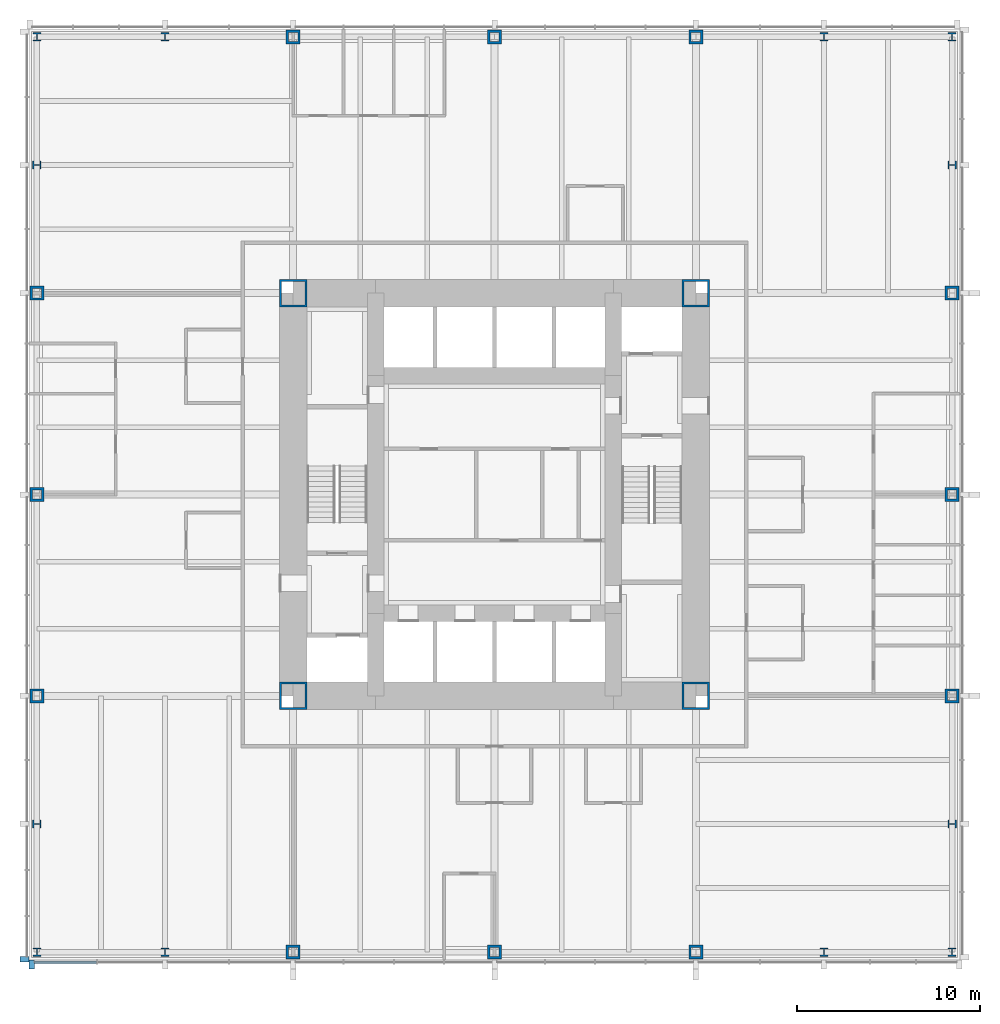
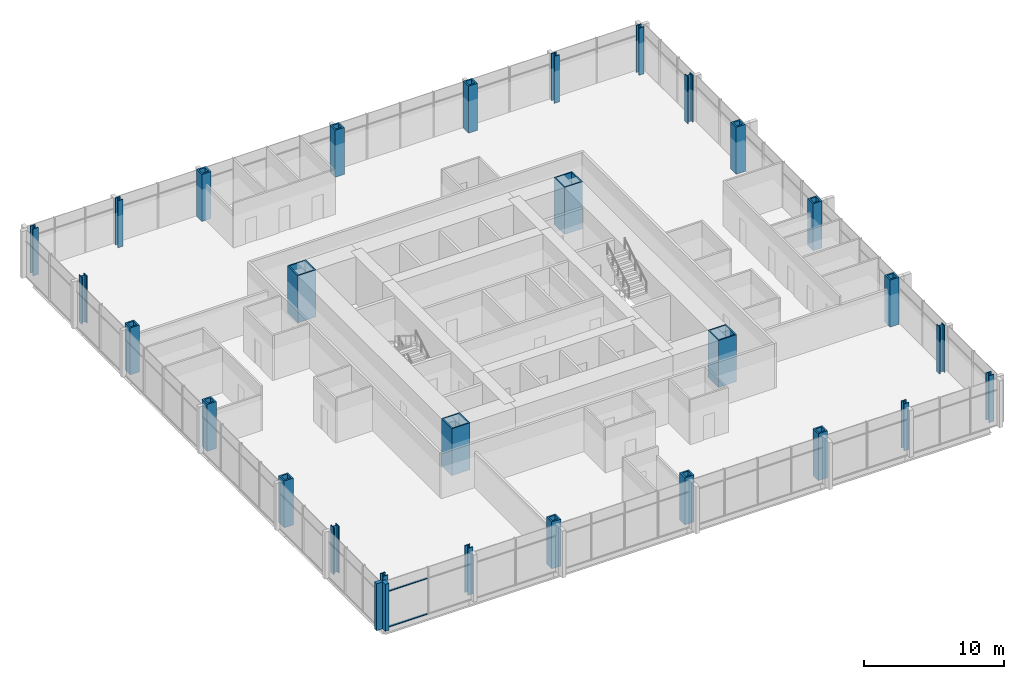
# One storey, part 1 of 12: 28 columns, 4 members, 2 elements without a shape of their own.
"""IFC4 building model written with IfcOpenShell, lengths in metres."""

from ifc_helpers import new_model, si_unit, direction, frame, origin, origin_2d, place, context, subcontext, project, spatial, rectangle, hollow_rectangle, i_section, extrude, material, material_profile, profile_set, type_object, element, aggregate, save


model = new_model("IFC4")

# Units and contexts
model_context = context("Model", 3, precision=1e-05, world=origin(), true_north=direction((0.0, 1.0)))
body_context = subcontext(model_context, "Body", "Model", "MODEL_VIEW")
ifc_project = project(units=[si_unit("LENGTHUNIT", "METRE"), si_unit("AREAUNIT", "SQUARE_METRE"), si_unit("VOLUMEUNIT", "CUBIC_METRE"), si_unit("PLANEANGLEUNIT", "RADIAN"), si_unit("MASSUNIT", "GRAM", prefix="KILO")], contexts=[model_context])

# Site, building, storey
site_placement = place(None, origin())
site = spatial("IfcSite", under=ifc_project, at=site_placement, CompositionType="ELEMENT")
building_placement = place(site_placement, origin())
building = spatial("IfcBuilding", under=site, at=building_placement, Name="Trevanion Tower", CompositionType="ELEMENT")
storey_placement = place(building_placement, frame((0.0, 0.0, 32.39990234375)))
storey = spatial("IfcBuildingStorey", under=building, at=storey_placement, Name="L07", CompositionType="ELEMENT", Elevation=32.39990234375)

# Columns
ifc_material_1 = material(Name="Steel ASTM A588 Grade 50", Category="steel")
ifc_material_profile_1 = material_profile(ifc_material_1, hollow_rectangle(XDim=0.761962890625, YDim=0.761962890625, WallThickness=0.126953125, at=origin_2d()), Name="BOX30X30X5")
ifc_profile_set_1 = profile_set([ifc_material_profile_1], Name="Steel ASTM A588 Grade 50")
column_type_1 = type_object("IfcColumnType", Name="C1 BOX30X30X5", PredefinedType="COLUMN", material=ifc_profile_set_1)
for number, where, z_axis, x_axis, name in (
    (1, (-25.0, 0.0, 0.0), (0.0, 0.0, 1.0), (0.0, 1.0, 0.0), "C1 3/H L07"),
    (2, (-25.0, -11.0, 0.0), (0.0, 0.0, 1.0), (0.0, 1.0, 0.0), "C1 3/F L07"),
    (3, (-11.0, -25.0, 0.0), (0.0, 0.0, 1.0), (1.0, 0.0, 0.0), "C1 8/A L07"),
    (4, (0.0, -25.0, 0.0), (0.0, 0.0, 1.0), (1.0, 0.0, 0.0), "C1 10/A L07"),
    (5, (11.0, -25.0, 0.0), (0.0, 0.0, 1.0), (1.0, 0.0, 0.0), "C1 12/A L07"),
    (6, (25.0, -11.0, 0.0), (0.0, 0.0, 1.0), (0.0, 1.0, 0.0), "C1 17/F L07"),
    (7, (25.0, 0.0, 0.0), (0.0, 0.0, 1.0), (0.0, 1.0, 0.0), "C1 17/H L07"),
    (8, (25.0, 11.0, 0.0), (0.0, 0.0, 1.0), (0.0, 1.0, 0.0), "C1 17/K L07"),
    (9, (11.0, 25.0, 0.0), (0.0, 0.0, 1.0), (1.0, 0.0, 0.0), "C1 12/Q L07"),
    (10, (0.0, 25.0, 0.0), (0.0, 0.0, 1.0), (1.0, 0.0, 0.0), "C1 10/Q L07"),
    (11, (-11.0, 25.0, 0.0), (0.0, 0.0, 1.0), (1.0, 0.0, 0.0), "C1 8/Q L07"),
    (12, (-25.0, 11.0, 0.0), (0.0, 0.0, 1.0), (0.0, 1.0, 0.0), "C1 3/K L07"),
):
    element("IfcColumn", number, at=place(storey_placement, frame(where, z_axis=z_axis, x_axis=x_axis)), inside=storey, type_object=column_type_1, Name=name, PredefinedType="COLUMN", context=body_context, shape_type="SweptSolid", body=[
        extrude(hollow_rectangle(XDim=0.761962890625, YDim=0.761962890625, WallThickness=0.126953125, at=origin_2d()), origin(), (0.0, 0.0, 1.0), 4.10009765625),
    ])
ifc_material_2 = material(Name="Steel ASTM A913 Grade 65", Category="steel")
ifc_material_profile_2 = material_profile(ifc_material_2, i_section(OverallWidth=0.421630859375, OverallDepth=0.46484375, WebThickness=0.044921875, FlangeThickness=0.072509765625, at=origin_2d()), Name="W14X398")
ifc_profile_set_2 = profile_set([ifc_material_profile_2], Name="Steel ASTM A913 Grade 65")
column_type_2 = type_object("IfcColumnType", Name="C2 W14X398", PredefinedType="COLUMN", material=ifc_profile_set_2)
for number, where, z_axis, x_axis, name in (
    (13, (-25.0, -18.0, 0.0), (0.0, 0.0, 1.0), (0.0, 1.0, 0.0), "C2 3/D L07"),
    (14, (-25.0, -25.0, 0.0), (0.0, 0.0, 1.0), (1.0, 0.0, 0.0), "C2 3/A L07"),
    (15, (-18.0, -25.0, 0.0), (0.0, 0.0, 1.0), (1.0, 0.0, 0.0), "C2 6/A L07"),
    (16, (18.0, -25.0, 0.0), (0.0, 0.0, 1.0), (1.0, 0.0, 0.0), "C2 14/A L07"),
    (17, (25.0, -25.0, 0.0), (0.0, 0.0, 1.0), (1.0, 0.0, 0.0), "C2 17/A L07"),
    (18, (25.0, -18.0, 0.0), (0.0, 0.0, 1.0), (0.0, 1.0, 0.0), "C2 17/D L07"),
    (19, (25.0, 18.0, 0.0), (0.0, 0.0, 1.0), (0.0, 1.0, 0.0), "C2 17/M L07"),
    (20, (25.0, 25.0, 0.0), (0.0, 0.0, 1.0), (1.0, 0.0, 0.0), "C2 17/Q L07"),
    (21, (18.0, 25.0, 0.0), (0.0, 0.0, 1.0), (1.0, 0.0, 0.0), "C2 14/Q L07"),
    (22, (-18.0, 25.0, 0.0), (0.0, 0.0, 1.0), (1.0, 0.0, 0.0), "C2 6/Q L07"),
    (23, (-25.0, 25.0, 0.0), (0.0, 0.0, 1.0), (1.0, 0.0, 0.0), "C2 3/Q L07"),
    (24, (-25.0, 18.0, 0.0), (0.0, 0.0, 1.0), (0.0, 1.0, 0.0), "C2 3/M L07"),
):
    element("IfcColumn", number, at=place(storey_placement, frame(where, z_axis=z_axis, x_axis=x_axis)), inside=storey, type_object=column_type_2, Name=name, PredefinedType="COLUMN", context=body_context, shape_type="SweptSolid", body=[
        extrude(i_section(OverallWidth=0.421630859375, OverallDepth=0.46484375, WebThickness=0.044921875, FlangeThickness=0.072509765625, at=origin_2d()), origin(), (0.0, 0.0, 1.0), 4.10009765625),
    ])
ifc_material_3 = material(Name="Steel ASTM A572 Grade 50", Category="steel")
ifc_material_profile_3 = material_profile(ifc_material_3, hollow_rectangle(XDim=1.49853515625, YDim=1.49853515625, WallThickness=0.1015625, at=origin_2d()), Name="BOX59X59X4")
ifc_profile_set_3 = profile_set([ifc_material_profile_3], Name="Steel ASTM A572 Grade 50")
column_type_3 = type_object("IfcColumnType", Name="CB1 BOX59X59X4", PredefinedType="COLUMN", material=ifc_profile_set_3)
for number, where, z_axis, x_axis, name in (
    (25, (11.0, 11.0, 0.0), (0.0, 0.0, 1.0), (1.0, 0.0, 0.0), "CB1 NE L07"),
    (26, (-11.0, 11.0, 0.0), (0.0, 0.0, 1.0), (1.0, 0.0, 0.0), "CB1 NW L07"),
    (27, (-11.0, -11.0, 0.0), (0.0, 0.0, 1.0), (1.0, 0.0, 0.0), "CB1 SW L07"),
    (28, (11.0, -11.0, 0.0), (0.0, 0.0, 1.0), (1.0, 0.0, 0.0), "CB1 SE L07"),
):
    element("IfcColumn", number, at=place(storey_placement, frame(where, z_axis=z_axis, x_axis=x_axis)), inside=storey, type_object=column_type_3, Name=name, PredefinedType="COLUMN", context=body_context, shape_type="SweptSolid", body=[
        extrude(hollow_rectangle(XDim=1.49853515625, YDim=1.49853515625, WallThickness=0.1015625, at=origin_2d()), origin(), (0.0, 0.0, 1.0), 4.10009765625),
    ])

# Curtain wall, member
ifc_material_4 = material(Name="Aluminium and glass", Category="aluminium")
curtain_wall_type = type_object("IfcCurtainWallType", Name="CW1 curtain wall", PredefinedType="USERDEFINED", material=ifc_material_4)
curtain_wall_1_placement = place(storey_placement, origin())
curtain_wall_1 = element("IfcCurtainWall", 29, at=curtain_wall_1_placement, inside=storey, type_object=curtain_wall_type, Name="CW1 L07 2", ObjectType="UNITISED CURTAIN WALL", PredefinedType="USERDEFINED")
ifc_material_5 = material(Name="Aluminium extrusion, anodised bronze", Category="aluminium")
ifc_material_profile_4 = material_profile(ifc_material_5, rectangle(XDim=0.300048828125, YDim=0.5, at=origin_2d()), Name="CW1 pier mullion")
ifc_profile_set_4 = profile_set([ifc_material_profile_4], Name="Aluminium extrusion, anodised bronze")
member_type_1 = type_object("IfcMemberType", Name="CW1 pier mullion", PredefinedType="MULLION", material=ifc_profile_set_4)
member_1_placement = place(storey_placement, frame((-25.675048828125, -25.39990234375, -0.18994140625), z_axis=(0.0, 0.0, 1.0), x_axis=(0.0, -1.0, 0.0)))
member_1 = element("IfcMember", 30, at=member_1_placement, type_object=member_type_1, Name="CW1 pier mullion 18", PredefinedType="MULLION", context=body_context, shape_type="SweptSolid", body=[
    extrude(rectangle(XDim=0.300048828125, YDim=0.5, at=origin_2d()), origin(), (0.0, 0.0, 1.0), 4.10009765625),
])
aggregate(curtain_wall_1, [member_1])

# Curtain wall, members
curtain_wall_2_placement = place(storey_placement, origin())
curtain_wall_2 = element("IfcCurtainWall", 31, at=curtain_wall_2_placement, inside=storey, type_object=curtain_wall_type, Name="CW1 L07 3", ObjectType="UNITISED CURTAIN WALL", PredefinedType="USERDEFINED")
member_2_placement = place(storey_placement, frame((-25.27001953125, -25.675048828125, -0.18994140625), z_axis=(0.0, 0.0, 1.0), x_axis=(1.0, 0.0, 0.0)))
member_2 = element("IfcMember", 32, at=member_2_placement, type_object=member_type_1, Name="CW1 pier mullion 1", PredefinedType="MULLION", context=body_context, shape_type="SweptSolid", body=[
    extrude(rectangle(XDim=0.300048828125, YDim=0.5, at=origin_2d()), origin(), (0.0, 0.0, 1.0), 4.10009765625),
])
ifc_material_6 = material(Name="Aluminium extrusion, anodised bronze", Category="aluminium")
ifc_material_profile_5 = material_profile(ifc_material_6, rectangle(XDim=0.14990234375, YDim=0.074951171875, at=origin_2d()), Name="CW1 transom")
ifc_profile_set_5 = profile_set([ifc_material_profile_5], Name="Aluminium extrusion, anodised bronze")
member_type_2 = type_object("IfcMemberType", Name="CW1 transom", PredefinedType="USERDEFINED", material=ifc_profile_set_5)
member_3_placement = place(storey_placement, frame((-25.1201171875, -25.550048828125, -0.15234375), z_axis=(1.0, 0.0, 0.0), x_axis=(0.0, 1.0, 0.0)))
member_3 = element("IfcMember", 33, at=member_3_placement, type_object=member_type_2, Name="CW1 transom 1.1", ObjectType="TRANSOM", PredefinedType="USERDEFINED", context=body_context, shape_type="SweptSolid", body=[
    extrude(rectangle(XDim=0.14990234375, YDim=0.074951171875, at=origin_2d()), origin(), (0.0, 0.0, 1.0), 3.37255859375),
])
member_4_placement = place(storey_placement, frame((-25.1201171875, -25.550048828125, 2.960205078125), z_axis=(1.0, 0.0, 0.0), x_axis=(0.0, 1.0, 0.0)))
member_4 = element("IfcMember", 34, at=member_4_placement, type_object=member_type_2, Name="CW1 transom 1.2", ObjectType="TRANSOM", PredefinedType="USERDEFINED", context=body_context, shape_type="SweptSolid", body=[
    extrude(rectangle(XDim=0.14990234375, YDim=0.074951171875, at=origin_2d()), origin(), (0.0, 0.0, 1.0), 3.37255859375),
])
aggregate(curtain_wall_2, [member_2, member_3, member_4])

save(model, "model.ifc")
